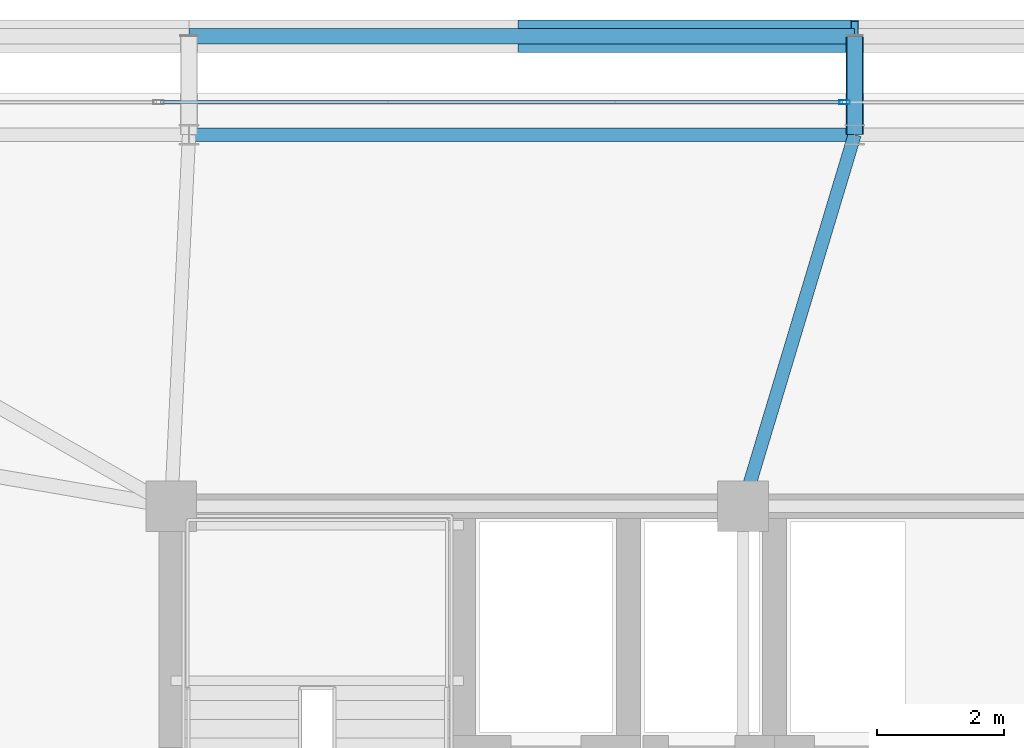
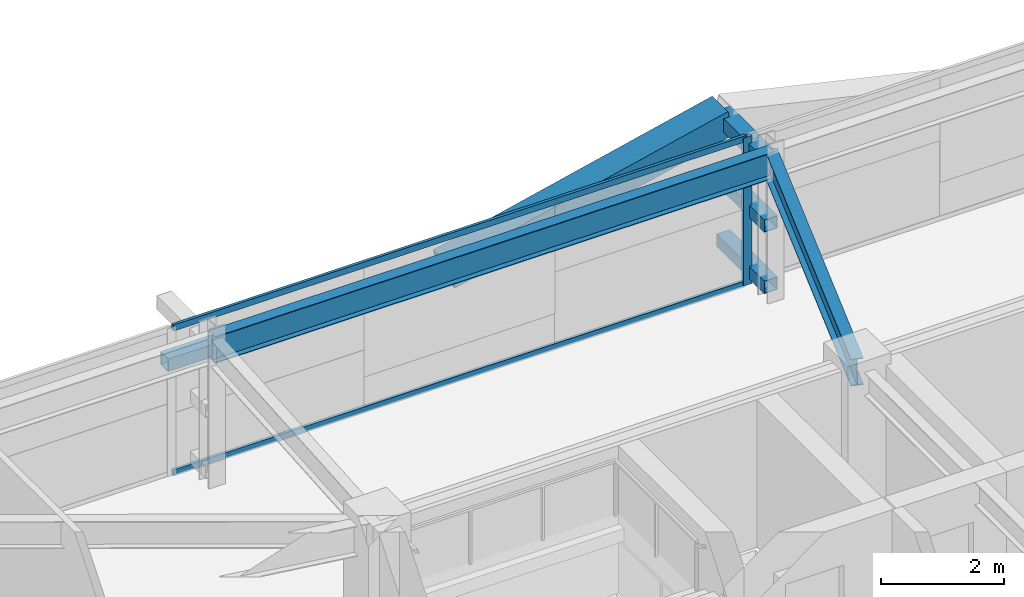
# One storey, part 24 of 44: 8 members, 2 beams, 1 element without a shape of its own.
"""IFC4 building model written with IfcOpenShell, lengths in metres."""

import ifcopenshell
import ifcopenshell.guid

model = None  # the IFC model being written
_history = None  # IfcOwnerHistory: only IFC2X3 demands one
_inside = {}  # id of a spatial element -> (the spatial element, [elements in it])
_under = {}  # id of a project, library or spatial element -> (it, [spatial elements below it])
_declared = {}  # id of a project -> (the project, [libraries it declares])
_typed = {}  # id of a type object -> (the type object, [elements of that type])
_made_of = {}  # id of a material, layer set ... -> (it, [elements and type objects made of it])


def new_model(schema):
    """Start an empty IFC model of exactly this schema.

    Asked for "IFC4X3", IfcOpenShell would pick the latest addendum, in which some entities
    have other attributes; the version numbers below select the first issue.
    IFC2X3 requires an IfcOwnerHistory on every rooted entity: one is made here for all.
    """
    global model, _history
    if schema == "IFC4X3":
        model = ifcopenshell.file(schema_version=(4, 3, 0, 0))
    else:
        model = ifcopenshell.file(schema=schema)
    _inside.clear()
    _under.clear()
    _declared.clear()
    _typed.clear()
    _made_of.clear()
    _history = None
    if model.schema == "IFC2X3":
        org = make("IfcOrganization", Name="unknown")
        user = make(
            "IfcPersonAndOrganization",
            ThePerson=make("IfcPerson", FamilyName="unknown"),
            TheOrganization=org,
        )
        app = make(
            "IfcApplication",
            ApplicationDeveloper=org,
            Version="unknown",
            ApplicationFullName="unknown",
            ApplicationIdentifier="unknown",
        )
        _history = make(
            "IfcOwnerHistory",
            OwningUser=user,
            OwningApplication=app,
            ChangeAction="ADDED",
            CreationDate=0,
        )
    return model


def make(cls, **values):
    """One entity of the class cls with the attributes given. An attribute that is None is left unset."""
    return model.create_entity(
        cls, **{name: value for name, value in values.items() if value is not None}
    )


def rooted(cls, **values):
    """An entity with a GlobalId (a new one), such as an element, a storey or a relation."""
    return make(cls, GlobalId=ifcopenshell.guid.new(), OwnerHistory=_history, **values)


def si_unit(unit_type, name, prefix=None):
    """IfcSIUnit, for example si_unit("LENGTHUNIT", "METRE", prefix="MILLI")."""
    return make("IfcSIUnit", UnitType=unit_type, Prefix=prefix, Name=name)


def assignment(units):
    """IfcUnitAssignment: the units of a project."""
    return None if units is None else make("IfcUnitAssignment", Units=units)


def point(xyz):
    """IfcCartesianPoint."""
    return None if xyz is None else make("IfcCartesianPoint", Coordinates=xyz)


def direction(xyz):
    """IfcDirection."""
    return None if xyz is None else make("IfcDirection", DirectionRatios=xyz)


def frame(location, z_axis=None, x_axis=None):
    """IfcAxis2Placement3D, a coordinate frame: its origin and axes. An axis left out is left unset."""
    return make(
        "IfcAxis2Placement3D",
        Location=point(location),
        Axis=direction(z_axis),
        RefDirection=direction(x_axis),
    )


def frame_2d(location, x_axis=None):
    """IfcAxis2Placement2D, a coordinate frame in the plane: its origin and x axis."""
    return make(
        "IfcAxis2Placement2D", Location=point(location), RefDirection=direction(x_axis)
    )


def origin():
    """The frame at (0, 0, 0) with its axes left unset."""
    return frame((0.0, 0.0, 0.0))


def origin_2d():
    """The frame at (0, 0) in the plane with its x axis left unset."""
    return frame_2d((0.0, 0.0))


def place(relative_to, where):
    """IfcLocalPlacement: puts the frame where relative to a parent placement (None: the world)."""
    return make(
        "IfcLocalPlacement", PlacementRelTo=relative_to, RelativePlacement=where
    )


def context(
    kind, dimensions, precision=None, world=None, true_north=None, identifier=None
):
    """IfcGeometricRepresentationContext, for example the 3D "Model" context."""
    return make(
        "IfcGeometricRepresentationContext",
        ContextIdentifier=identifier,
        ContextType=kind,
        CoordinateSpaceDimension=dimensions,
        Precision=precision,
        WorldCoordinateSystem=world,
        TrueNorth=true_north,
    )


def subcontext(parent, identifier, kind, view, scale=None):
    """IfcGeometricRepresentationSubContext, for example "Body" below "Model"."""
    return make(
        "IfcGeometricRepresentationSubContext",
        ContextIdentifier=identifier,
        ContextType=kind,
        ParentContext=parent,
        TargetScale=scale,
        TargetView=view,
    )


def project(units=None, contexts=None):
    """IfcProject with its units and contexts."""
    return rooted(
        "IfcProject",
        Name="project",
        RepresentationContexts=contexts,
        UnitsInContext=assignment(units),
    )


def spatial(cls, under=None, at=None, **own):
    """A site, building, storey or space (cls), placed at a placement, below another one or the project."""
    s = rooted(cls, ObjectPlacement=at, **own)
    if under is not None:
        _under.setdefault(under.id(), (under, []))[1].append(s)
    return s


def profile(cls, at=None, kind="AREA", **sizes):
    """A parametric profile (cls). Its sizes go by their IFC names, for example OverallWidth=200.0."""
    return make(cls, ProfileType=kind, Position=at, **sizes)


def hollow_rectangle(**sizes):
    """IfcRectangleHollowProfileDef."""
    return profile("IfcRectangleHollowProfileDef", **sizes)


def i_section(**sizes):
    """IfcIShapeProfileDef."""
    return profile("IfcIShapeProfileDef", **sizes)


def extrude(swept, where, along, depth):
    """IfcExtrudedAreaSolid: the profile swept, set in the frame where, extruded along a direction by depth."""
    return make(
        "IfcExtrudedAreaSolid",
        SweptArea=swept,
        Position=where,
        ExtrudedDirection=direction(along),
        Depth=depth,
    )


def shape(context_of_items, identifier, shape_type, items):
    """IfcShapeRepresentation: the items that make up one representation, for example the "Body"."""
    return make(
        "IfcShapeRepresentation",
        ContextOfItems=context_of_items,
        RepresentationIdentifier=identifier,
        RepresentationType=shape_type,
        Items=items,
    )


def source(mapping_origin, context_of_items, identifier, shape_type, items):
    """IfcRepresentationMap: a shape defined once, which mapped items show again and again."""
    return make(
        "IfcRepresentationMap",
        MappingOrigin=mapping_origin,
        MappedRepresentation=shape(context_of_items, identifier, shape_type, items),
    )


def transform(
    local_origin,
    x_axis=None,
    y_axis=None,
    z_axis=None,
    scale=None,
    scale2=None,
    scale3=None,
    uniform=True,
):
    """IfcCartesianTransformationOperator3D, or its non-uniform kind. x_axis, y_axis, z_axis: its Axis1, 2, 3."""
    if uniform:
        return make(
            "IfcCartesianTransformationOperator3D",
            Axis1=direction(x_axis),
            Axis2=direction(y_axis),
            LocalOrigin=point(local_origin),
            Scale=scale,
            Axis3=direction(z_axis),
        )
    return make(
        "IfcCartesianTransformationOperator3DnonUniform",
        Axis1=direction(x_axis),
        Axis2=direction(y_axis),
        LocalOrigin=point(local_origin),
        Scale=scale,
        Axis3=direction(z_axis),
        Scale2=scale2,
        Scale3=scale3,
    )


def mapped(mapping_source, mapping_target):
    """IfcMappedItem: shows the shape of a source again, moved by a transform."""
    return make(
        "IfcMappedItem", MappingSource=mapping_source, MappingTarget=mapping_target
    )


def material(Name=None, Category=None):
    """IfcMaterial."""
    return make("IfcMaterial", Name=Name, Category=Category)


def layer(
    of_material, thickness, ventilated=None, Name=None, Category=None, Priority=None
):
    """IfcMaterialLayer: one layer of a wall or slab, of a material (None: an air gap)."""
    return make(
        "IfcMaterialLayer",
        Material=of_material,
        LayerThickness=thickness,
        IsVentilated=ventilated,
        Name=Name,
        Category=Category,
        Priority=Priority,
    )


def layer_set(layers, Name=None):
    """IfcMaterialLayerSet."""
    return make("IfcMaterialLayerSet", MaterialLayers=layers, LayerSetName=Name)


def material_profile(
    of_material, cross_section, Name=None, Category=None, Priority=None
):
    """IfcMaterialProfile: a cross section and its material."""
    return make(
        "IfcMaterialProfile",
        Name=Name,
        Material=of_material,
        Profile=cross_section,
        Priority=Priority,
        Category=Category,
    )


def profile_set(profiles, Name=None, composite=None):
    """IfcMaterialProfileSet."""
    return make(
        "IfcMaterialProfileSet",
        Name=Name,
        MaterialProfiles=profiles,
        CompositeProfile=composite,
    )


def made_of(thing, what):
    """Note that an element or type object is made of a material, layer set ...; save() writes the relation."""
    if what is not None:
        _made_of.setdefault(what.id(), (what, []))[1].append(thing)
    return thing


def type_object(cls, material=None, **own):
    """A type object (cls), such as IfcWallType, which elements share."""
    return made_of(rooted(cls, **own), material)


def element(
    cls,
    number,
    at=None,
    inside=None,
    cuts=None,
    type_object=None,
    material=None,
    context=None,
    identifier="Body",
    shape_type=None,
    held_by="IfcProductDefinitionShape",
    body=None,
    shapes=None,
    **own,
):
    """One element of the class cls, such as IfcWall. Its Tag is "e" and its number.

    at: its placement. inside: the storey or other place that contains it. cuts: it is an
    opening in that element (IfcRelVoidsElement). A single representation is given by context,
    identifier, shape_type and body (its items); several are given by shapes. held_by: the class
    of the entity that holds the representations. save() writes the other relations.
    """
    e = rooted(cls, Tag="e%d" % number, ObjectPlacement=at, **own)
    if body is not None:
        shapes = [shape(context, identifier, shape_type, body)]
    if shapes is not None:
        e.Representation = make(held_by, Representations=shapes)
    if inside is not None:
        _inside.setdefault(inside.id(), (inside, []))[1].append(e)
    if cuts is not None:
        rooted(
            "IfcRelVoidsElement", RelatingBuildingElement=cuts, RelatedOpeningElement=e
        )
    if type_object is not None:
        _typed.setdefault(type_object.id(), (type_object, []))[1].append(e)
    return made_of(e, material)


def aggregate(whole, parts):
    """IfcRelAggregates: a whole, such as a stair, and the parts it consists of."""
    return rooted("IfcRelAggregates", RelatingObject=whole, RelatedObjects=parts)


def save(model, path):
    """Write the relations noted so far, then the file.

    IfcRelAggregates (storeys below a building ...), IfcRelContainedInSpatialStructure (elements
    in a storey), IfcRelDefinesByType, IfcRelAssociatesMaterial and IfcRelDeclares: one each for
    every whole, place, type object, material and project.
    """
    for whole, parts in _under.values():
        aggregate(whole, parts)
    for where, things in _inside.values():
        rooted(
            "IfcRelContainedInSpatialStructure",
            RelatedElements=things,
            RelatingStructure=where,
        )
    for kind, things in _typed.values():
        rooted("IfcRelDefinesByType", RelatedObjects=things, RelatingType=kind)
    for what, things in _made_of.values():
        rooted("IfcRelAssociatesMaterial", RelatedObjects=things, RelatingMaterial=what)
    for by, libraries in _declared.values():
        rooted("IfcRelDeclares", RelatingContext=by, RelatedDefinitions=libraries)
    model.write(path)


model = new_model("IFC4")

# Units and contexts
model_context = context("Model", 3, precision=1e-05, world=origin(), true_north=direction((0.0, 1.0)))
body_context = subcontext(model_context, "Body", "Model", "MODEL_VIEW")
ifc_project = project(units=[si_unit("LENGTHUNIT", "METRE"), si_unit("AREAUNIT", "SQUARE_METRE"), si_unit("VOLUMEUNIT", "CUBIC_METRE"), si_unit("PLANEANGLEUNIT", "RADIAN"), si_unit("MASSUNIT", "GRAM", prefix="KILO")], contexts=[model_context])

# Site, building, storey
site_placement = place(None, origin())
site = spatial("IfcSite", under=ifc_project, at=site_placement, CompositionType="ELEMENT")
building_placement = place(site_placement, origin())
building = spatial("IfcBuilding", under=site, at=building_placement, Name="Taldren Reach Tower", CompositionType="ELEMENT")
storey_placement = place(building_placement, frame((0.0, 0.0, 38.85009765625)))
storey = spatial("IfcBuildingStorey", under=building, at=storey_placement, Name="L11", CompositionType="ELEMENT", Elevation=38.85009765625)

# Beams
ifc_material_1 = material(Name="Steel Gr 350 (350PLUS)", Category="steel")
ifc_material_profile_1 = material_profile(ifc_material_1, i_section(OverallWidth=0.208984375, OverallDepth=0.528076171875, WebThickness=0.009521484375, FlangeThickness=0.01318359375, at=origin_2d()), Name="530UB82.0")
ifc_profile_set_1 = profile_set([ifc_material_profile_1], Name="Steel Gr 350 (350PLUS)")
beam_type_1 = type_object("IfcBeamType", Name="SP-UB530B", PredefinedType="SPANDREL", material=ifc_profile_set_1)
shared_shape_1 = source(origin(), body_context, "Body", "SweptSolid", [
    extrude(i_section(OverallWidth=0.208984375, OverallDepth=0.528076171875, WebThickness=0.009521484375, FlangeThickness=0.01318359375, at=origin_2d()), origin(), (0.0, 0.0, 1.0), 10.47998046875),
])
beam_1_placement = place(storey_placement, frame((29.760009765625, 37.85009765625, 2.666015625), z_axis=(-1.0, 0.0, 0.0), x_axis=(0.0, -1.0, 0.0)))
element("IfcBeam", 1, at=beam_1_placement, inside=storey, type_object=beam_type_1, Name="Perimeter spandrel B1 N3-N2 L11", PredefinedType="SPANDREL", context=body_context, shape_type="MappedRepresentation", body=[
    mapped(shared_shape_1, transform((0.0, 0.0, 0.0), scale=1.0)),
])
ifc_material_profile_2 = material_profile(ifc_material_1, i_section(OverallWidth=0.208984375, OverallDepth=0.532958984375, WebThickness=0.01025390625, FlangeThickness=0.015625, at=origin_2d()), Name="530UB92.4")
ifc_profile_set_2 = profile_set([ifc_material_profile_2], Name="Steel Gr 350 (350PLUS)")
beam_type_2 = type_object("IfcBeamType", Name="BM-UB530A", PredefinedType="BEAM", material=ifc_profile_set_2)
shared_shape_2 = source(origin(), body_context, "Body", "SweptSolid", [
    extrude(i_section(OverallWidth=0.208984375, OverallDepth=0.532958984375, WebThickness=0.01025390625, FlangeThickness=0.015625, at=origin_2d()), origin(), (0.0, 0.0, 1.0), 6.109130859375),
])
beam_2_placement = place(storey_placement, frame((28.0, 32.0, 2.663330078125), z_axis=(0.288095735745, 0.957601611864, 0.0), x_axis=(-0.957601611864, 0.288095735745, 0.0)))
element("IfcBeam", 2, at=beam_2_placement, inside=storey, type_object=beam_type_2, Name="Primary floor girder B1-N3 L11", PredefinedType="BEAM", context=body_context, shape_type="MappedRepresentation", body=[
    mapped(shared_shape_2, transform((0.0, 0.0, 0.0), scale=1.0)),
])

# Members
ifc_material_2 = material(Name="Steel Gr 450 (C450L0)", Category="steel")
ifc_material_profile_3 = material_profile(ifc_material_2, hollow_rectangle(XDim=0.27490234375, YDim=0.27490234375, WallThickness=0.00927734375, at=origin_2d()), Name="275x275x9.3SHS")
ifc_profile_set_3 = profile_set([ifc_material_profile_3], Name="Steel Gr 450 (C450L0)")
member_type_1 = type_object("IfcMemberType", Name="MB-TIE273", PredefinedType="STRUT", material=ifc_profile_set_3)
shared_shape_3 = source(origin(), body_context, "Body", "SweptSolid", [
    extrude(hollow_rectangle(XDim=0.27490234375, YDim=0.27490234375, WallThickness=0.00927734375, at=origin_2d()), origin(), (0.0, 0.0, 1.0), 1.5498046875),
])
member_1_placement = place(storey_placement, frame((29.760009765625, 37.85009765625, 2.64990234375), z_axis=(0.0, 1.0, 0.0), x_axis=(-1.0, 0.0, 0.0)))
element("IfcMember", 3, at=member_1_placement, inside=storey, type_object=member_type_1, Name="Exoskeleton diaphragm tie strut B1-N3 L11", PredefinedType="STRUT", context=body_context, shape_type="MappedRepresentation", body=[
    mapped(shared_shape_3, transform((0.0, 0.0, 0.0), scale=1.0)),
])
ifc_material_profile_4 = material_profile(ifc_material_2, hollow_rectangle(XDim=0.510009765625, YDim=0.510009765625, WallThickness=0.02001953125, at=origin_2d()), Name="510x510x20.0SHS")
ifc_profile_set_4 = profile_set([ifc_material_profile_4], Name="Steel Gr 450 (C450L0)")
member_type_2 = type_object("IfcMemberType", Name="MB-EXO508", PredefinedType="BRACE", material=ifc_profile_set_4)
shared_shape_4 = source(origin(), body_context, "Body", "SweptSolid", [
    extrude(hollow_rectangle(XDim=0.510009765625, YDim=0.510009765625, WallThickness=0.02001953125, at=origin_2d()), origin(), (0.0, 0.0, 1.0), 5.37890625),
])
member_2_placement = place(storey_placement, frame((24.52001953125, 39.39990234375, 1.434814453125), z_axis=(0.97415197996, 0.0, 0.225893603143), x_axis=(0.0, 1.0, 0.0)))
element("IfcMember", 4, at=member_2_placement, inside=storey, type_object=member_type_2, Name="Exoskeleton Diagrid Brace B1-N2 L11", PredefinedType="BRACE", context=body_context, shape_type="MappedRepresentation", body=[
    mapped(shared_shape_4, transform((0.0, 0.0, 0.0), scale=1.0)),
])
ifc_material_3 = material(Name="Steel Gr 350 (C350L0)", Category="steel")
ifc_material_profile_5 = material_profile(ifc_material_3, hollow_rectangle(XDim=0.25, YDim=0.25, WallThickness=0.010009765625, at=origin_2d()), Name="250x250x10.0SHS")
ifc_profile_set_5 = profile_set([ifc_material_profile_5], Name="Steel Gr 350 (C350L0)")
member_type_3 = type_object("IfcMemberType", Name="MB-POST250", PredefinedType="POST", material=ifc_profile_set_5)
shared_shape_5 = source(origin(), body_context, "Body", "SweptSolid", [
    extrude(hollow_rectangle(XDim=0.25, YDim=0.25, WallThickness=0.010009765625, at=origin_2d()), origin(), (0.0, 0.0, 1.0), 10.47998046875),
])
member_3_placement = place(storey_placement, frame((19.280029296875, 39.39990234375, 1.434814453125), z_axis=(1.0, 0.0, 0.0), x_axis=(0.0, 1.0, 0.0)))
element("IfcMember", 5, at=member_3_placement, inside=storey, type_object=member_type_3, Name="Exoskeleton mid-height ring chord B1-N2 L11", PredefinedType="POST", context=body_context, shape_type="MappedRepresentation", body=[
    mapped(shared_shape_5, transform((0.0, 0.0, 0.0), scale=1.0)),
])
shared_shape_6 = source(origin(), body_context, "Body", "SweptSolid", [
    extrude(hollow_rectangle(XDim=0.25, YDim=0.25, WallThickness=0.010009765625, at=origin_2d()), origin(), (0.0, 0.0, 1.0), 1.5498046875),
])
for number, where, z_axis, x_axis, name in (
    (6, (29.760009765625, 37.85009765625, 0.219970703125), (0.0, 1.0, 0.0), (-1.0, 0.0, 0.0), "Exoskeleton base diaphragm tie strut B1-N3 L11"),
    (7, (29.760009765625, 37.85009765625, 1.434814453125), (0.0, 1.0, 0.0), (-1.0, 0.0, 0.0), "Exoskeleton mid-tier diaphragm tie B1-N3 L11"),
):
    element("IfcMember", number, at=place(storey_placement, frame(where, z_axis=z_axis, x_axis=x_axis)), inside=storey, type_object=member_type_3, Name=name, PredefinedType="POST", context=body_context, shape_type="MappedRepresentation", body=[
        mapped(shared_shape_6, transform((0.0, 0.0, 0.0), scale=1.0)),
    ])

# Curtain wall, members
ifc_material_4 = material(Name="Aluminium and Low-E Glass Unitised System", Category="aluminium")
ifc_layer = layer(ifc_material_4, 0.159912109375)
ifc_layer_set = layer_set([ifc_layer], Name="Aluminium and Low-E Glass Unitised System")
curtain_wall_type = type_object("IfcCurtainWallType", Name="CW-SYS-2", PredefinedType="NOTDEFINED", material=ifc_layer_set)
curtain_wall_placement = place(storey_placement, origin())
curtain_wall = element("IfcCurtainWall", 8, at=curtain_wall_placement, inside=storey, type_object=curtain_wall_type, Name="Unitised curtain wall CW-L11-N", PredefinedType="NOTDEFINED")
ifc_material_5 = material(Name="Anodised Aluminium 6063-T6", Category="aluminium")
ifc_material_profile_6 = material_profile(ifc_material_5, hollow_rectangle(XDim=0.06494140625, YDim=0.1650390625, WallThickness=0.00390625, at=origin_2d()), Name="ALU-165x65x4RHS")
ifc_profile_set_6 = profile_set([ifc_material_profile_6], Name="Anodised Aluminium 6063-T6")
member_type_4 = type_object("IfcMemberType", Name="CW-MUL-165", PredefinedType="MULLION", material=ifc_profile_set_6)
shared_shape_7 = source(origin(), body_context, "Body", "SweptSolid", [
    extrude(hollow_rectangle(XDim=0.06494140625, YDim=0.1650390625, WallThickness=0.00390625, at=origin_2d()), origin(), (0.0, 0.0, 1.0), 2.929931640625),
])
member_4_placement = place(storey_placement, frame((29.60009765625, 38.360107421875, 0.0), z_axis=(0.0, 0.0, 1.0), x_axis=(0.0, -1.0, 0.0)))
member_4 = element("IfcMember", 9, at=member_4_placement, type_object=member_type_4, Name="CW-2 mullion 4", PredefinedType="MULLION", context=body_context, shape_type="MappedRepresentation", body=[
    mapped(shared_shape_7, transform((0.0, 0.0, 0.0), scale=1.0)),
])
ifc_material_profile_7 = material_profile(ifc_material_5, hollow_rectangle(XDim=0.054931640625, YDim=0.1201171875, WallThickness=0.0029296875, at=origin_2d()), Name="ALU-120x55x3RHS")
ifc_profile_set_7 = profile_set([ifc_material_profile_7], Name="Anodised Aluminium 6063-T6")
member_type_5 = type_object("IfcMemberType", Name="CW-TRN-135", PredefinedType="USERDEFINED", material=ifc_profile_set_7)
shared_shape_8 = source(origin(), body_context, "Body", "SweptSolid", [
    extrude(hollow_rectangle(XDim=0.054931640625, YDim=0.1201171875, WallThickness=0.0029296875, at=origin_2d()), origin(), (0.0, 0.0, 1.0), 10.73486328125),
])
member_5_placement = place(storey_placement, frame((29.5673828125, 38.360107421875, 0.02734375), z_axis=(-1.0, 0.0, 0.0), x_axis=(0.0, -1.0, 0.0)))
member_5 = element("IfcMember", 10, at=member_5_placement, type_object=member_type_5, Name="CW-2 transom 4.1", ObjectType="TRANSOM", PredefinedType="USERDEFINED", context=body_context, shape_type="MappedRepresentation", body=[
    mapped(shared_shape_8, transform((0.0, 0.0, 0.0), scale=1.0)),
])
member_6_placement = place(storey_placement, frame((29.5673828125, 38.360107421875, 2.90234375), z_axis=(-1.0, 0.0, 0.0), x_axis=(0.0, -1.0, 0.0)))
member_6 = element("IfcMember", 11, at=member_6_placement, type_object=member_type_5, Name="CW-2 transom 4.2", ObjectType="TRANSOM", PredefinedType="USERDEFINED", context=body_context, shape_type="MappedRepresentation", body=[
    mapped(shared_shape_8, transform((0.0, 0.0, 0.0), scale=1.0)),
])
aggregate(curtain_wall, [member_4, member_5, member_6])

save(model, "model.ifc")
